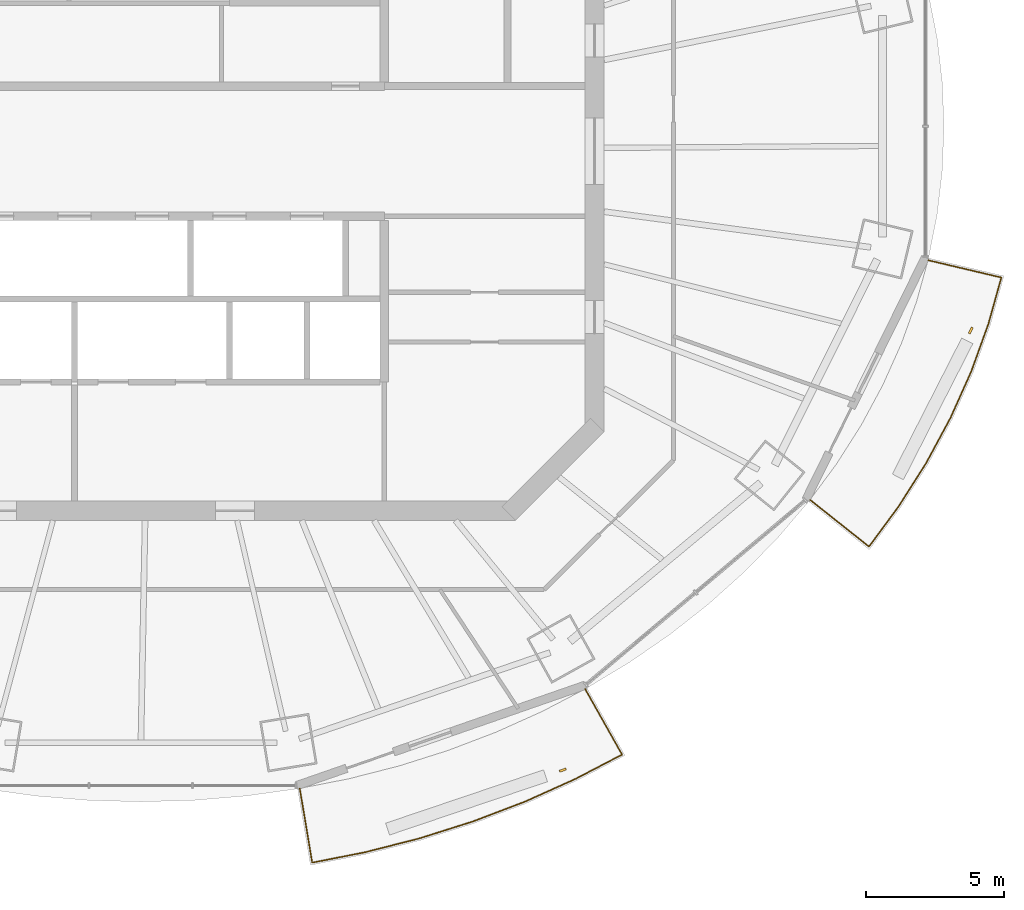
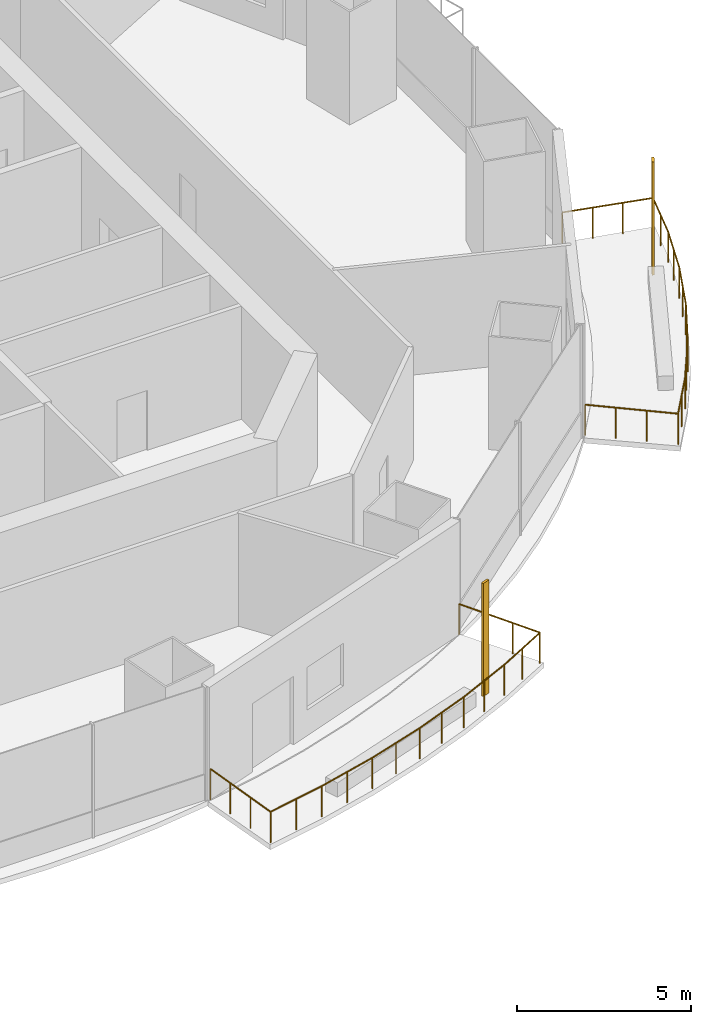
# One storey, part 13 of 16: 2 railings, 2 shading devices.
"""IFC4 building model written with IfcOpenShell, lengths in metres."""

from ifc_helpers import new_model, si_unit, direction, frame, origin, origin_2d, place, context, subcontext, project, spatial, rectangle, circle, extrude, material, material_profile, profile_set, type_object, element, save


model = new_model("IFC4")

# Units and contexts
model_context = context("Model", 3, precision=1e-05, world=origin(), true_north=direction((0.0, 1.0)))
body_context = subcontext(model_context, "Body", "Model", "MODEL_VIEW")
ifc_project = project(units=[si_unit("LENGTHUNIT", "METRE"), si_unit("AREAUNIT", "SQUARE_METRE"), si_unit("VOLUMEUNIT", "CUBIC_METRE"), si_unit("PLANEANGLEUNIT", "RADIAN"), si_unit("MASSUNIT", "GRAM", prefix="KILO")], contexts=[model_context])

# Site, building, storey
site_placement = place(None, origin())
site = spatial("IfcSite", under=ifc_project, at=site_placement, CompositionType="ELEMENT")
building_placement = place(site_placement, origin())
building = spatial("IfcBuilding", under=site, at=building_placement, Name="Marenthal Gate Tower", CompositionType="ELEMENT")
storey_placement = place(building_placement, frame((0.0, 0.0, 288.64990234375)))
storey = spatial("IfcBuildingStorey", under=building, at=storey_placement, Name="L64", CompositionType="ELEMENT", Elevation=288.64990234375)

# Railings
ifc_material_1 = material(Name="Stainless steel", Category="steel")
railing_type = type_object("IfcRailingType", Name="Balcony guard 1100", PredefinedType="GUARDRAIL", material=ifc_material_1)
railing_1_placement = place(storey_placement, frame((15.662841796875, -19.4462890625, 0.0)))
element("IfcRailing", 1, at=railing_1_placement, inside=storey, type_object=railing_type, Name="Balcony guard L64 bay 13", PredefinedType="GUARDRAIL", context=body_context, shape_type="SweptSolid", body=[
    extrude(circle(Radius=0.02392578125, at=origin_2d()), frame((0.0, 0.0, 1.076171875), z_axis=(0.490217296888, -0.871477472132, -0.014629333466), x_axis=(0.871570742774, 0.490269762825, 0.0)), (0.0, 0.0, 1.0), 2.72021484375),
    extrude(circle(Radius=0.02392578125, at=origin_2d()), frame((1.33349609375, -2.37060546875, 1.0361328125), z_axis=(-0.886680853455, -0.46238194614, 0.0), x_axis=(0.46238194614, -0.886680853455, 0.0)), (0.0, 0.0, 1.0), 1.904052734375),
    extrude(circle(Radius=0.02392578125, at=origin_2d()), frame((-0.354736328125, -3.2509765625, 1.0361328125), z_axis=(-0.912074652347, -0.41002418044, 0.0), x_axis=(0.41002418044, -0.912074652347, 0.0)), (0.0, 0.0, 1.0), 1.99755859375),
    extrude(circle(Radius=0.02392578125, at=origin_2d()), frame((-2.1767578125, -4.070068359375, 1.0361328125), z_axis=(-0.934433846475, -0.356136752614, 0.0), x_axis=(0.356136752614, -0.934433846475, 0.0)), (0.0, 0.0, 1.0), 2.010009765625),
    extrude(circle(Radius=0.02392578125, at=origin_2d()), frame((-4.054931640625, -4.785888671875, 1.0361328125), z_axis=(-0.953335850503, -0.301911835054, 0.0), x_axis=(0.301911835054, -0.953335850503, 0.0)), (0.0, 0.0, 1.0), 2.020751953125),
    extrude(circle(Radius=0.02392578125, at=origin_2d()), frame((-5.9814453125, -5.39599609375, 1.0361328125), z_axis=(-0.968956946338, -0.24722952118, 0.0), x_axis=(0.24722952118, -0.968956946338, 0.0)), (0.0, 0.0, 1.0), 2.0302734375),
    extrude(circle(Radius=0.02392578125, at=origin_2d()), frame((-7.94873046875, -5.89794921875, 1.0361328125), z_axis=(-0.981095216908, -0.193525645226, 0.0), x_axis=(0.193525645226, -0.981095216908, 0.0)), (0.0, 0.0, 1.0), 1.9580078125),
    extrude(circle(Radius=0.02392578125, at=origin_2d()), frame((-9.86962890625, -6.27685546875, 1.0361328125), z_axis=(-0.165138148772, 0.986161944948, 0.014629086005), x_axis=(-0.986267486225, -0.165155822229, 0.0)), (0.0, 0.0, 1.0), 2.72021484375),
    extrude(circle(Radius=0.02099609375, at=origin_2d()), origin(), (0.0, 0.0, 1.0), 1.052001953125),
    extrude(circle(Radius=0.02099609375, at=origin_2d()), frame((0.444580078125, -0.790283203125, -0.01318359375)), (0.0, 0.0, 1.0), 1.052001953125),
    extrude(circle(Radius=0.02099609375, at=origin_2d()), frame((0.888916015625, -1.580322265625, -0.026611328125)), (0.0, 0.0, 1.0), 1.052001953125),
    extrude(circle(Radius=0.02099609375, at=origin_2d()), frame((1.33349609375, -2.37060546875, -0.039794921875)), (0.0, 0.0, 1.0), 1.052001953125),
    extrude(circle(Radius=0.02099609375, at=origin_2d()), frame((0.4892578125, -2.810791015625, -0.039794921875)), (0.0, 0.0, 1.0), 1.052001953125),
    extrude(circle(Radius=0.02099609375, at=origin_2d()), frame((-0.354736328125, -3.2509765625, -0.039794921875)), (0.0, 0.0, 1.0), 1.052001953125),
    extrude(circle(Radius=0.02099609375, at=origin_2d()), frame((-1.265625, -3.66064453125, -0.039794921875)), (0.0, 0.0, 1.0), 1.052001953125),
    extrude(circle(Radius=0.02099609375, at=origin_2d()), frame((-2.1767578125, -4.070068359375, -0.039794921875)), (0.0, 0.0, 1.0), 1.052001953125),
    extrude(circle(Radius=0.02099609375, at=origin_2d()), frame((-3.11572265625, -4.427978515625, -0.039794921875)), (0.0, 0.0, 1.0), 1.052001953125),
    extrude(circle(Radius=0.02099609375, at=origin_2d()), frame((-4.054931640625, -4.785888671875, -0.039794921875)), (0.0, 0.0, 1.0), 1.052001953125),
    extrude(circle(Radius=0.02099609375, at=origin_2d()), frame((-5.01806640625, -5.0908203125, -0.039794921875)), (0.0, 0.0, 1.0), 1.052001953125),
    extrude(circle(Radius=0.02099609375, at=origin_2d()), frame((-5.9814453125, -5.39599609375, -0.039794921875)), (0.0, 0.0, 1.0), 1.052001953125),
    extrude(circle(Radius=0.02099609375, at=origin_2d()), frame((-6.965087890625, -5.64697265625, -0.039794921875)), (0.0, 0.0, 1.0), 1.052001953125),
    extrude(circle(Radius=0.02099609375, at=origin_2d()), frame((-7.94873046875, -5.89794921875, -0.039794921875)), (0.0, 0.0, 1.0), 1.052001953125),
    extrude(circle(Radius=0.02099609375, at=origin_2d()), frame((-8.9091796875, -6.08740234375, -0.039794921875)), (0.0, 0.0, 1.0), 1.052001953125),
    extrude(circle(Radius=0.02099609375, at=origin_2d()), frame((-9.86962890625, -6.27685546875, -0.039794921875)), (0.0, 0.0, 1.0), 1.052001953125),
    extrude(circle(Radius=0.02099609375, at=origin_2d()), frame((-10.019287109375, -5.382568359375, -0.026611328125)), (0.0, 0.0, 1.0), 1.052001953125),
    extrude(circle(Radius=0.02099609375, at=origin_2d()), frame((-10.169189453125, -4.488525390625, -0.01318359375)), (0.0, 0.0, 1.0), 1.052001953125),
    extrude(circle(Radius=0.02099609375, at=origin_2d()), frame((-10.31884765625, -3.59423828125, 0.0)), (0.0, 0.0, 1.0), 1.052001953125),
])
railing_2_placement = place(storey_placement, frame((28.0615234375, -3.942626953125, 0.0)))
element("IfcRailing", 2, at=railing_2_placement, inside=storey, type_object=railing_type, Name="Balcony guard L64 bay 15", PredefinedType="GUARDRAIL", context=body_context, shape_type="SweptSolid", body=[
    extrude(circle(Radius=0.02392578125, at=origin_2d()), frame((0.0, 0.0, 1.076171875), z_axis=(0.973118453647, -0.22984011434, -0.014628636719), x_axis=(0.229864710837, 0.973222592582, 0.0)), (0.0, 0.0, 1.0), 2.720458984375),
    extrude(circle(Radius=0.02392578125, at=origin_2d()), frame((2.647216796875, -0.625244140625, 1.0361328125), z_axis=(-0.268792920524, -0.963197988929, 0.0), x_axis=(0.963197988929, -0.268792920524, 0.0)), (0.0, 0.0, 1.0), 1.7421875),
    extrude(circle(Radius=0.02392578125, at=origin_2d()), frame((2.178955078125, -2.30322265625, 1.0361328125), z_axis=(-0.339224848664, -0.94070532158, 0.0), x_axis=(0.94070532158, -0.339224848664, 0.0)), (0.0, 0.0, 1.0), 1.830322265625),
    extrude(circle(Radius=0.02392578125, at=origin_2d()), frame((1.55810546875, -4.02490234375, 1.0361328125), z_axis=(-0.408427160426, -0.912790915066, 0.0), x_axis=(0.912790915066, -0.408427160426, 0.0)), (0.0, 0.0, 1.0), 1.83984375),
    extrude(circle(Radius=0.02392578125, at=origin_2d()), frame((0.806640625, -5.704345703125, 1.0361328125), z_axis=(-0.474178476771, -0.880428743379, 0.0), x_axis=(0.880428743379, -0.474178476771, 0.0)), (0.0, 0.0, 1.0), 1.85107421875),
    extrude(circle(Radius=0.02392578125, at=origin_2d()), frame((-0.071044921875, -7.333984375, 1.0361328125), z_axis=(-0.536341470097, -0.844001082614, 0.0), x_axis=(0.844001082614, -0.536341470097, 0.0)), (0.0, 0.0, 1.0), 1.864013671875),
    extrude(circle(Radius=0.02392578125, at=origin_2d()), frame((-1.07080078125, -8.9072265625, 1.0361328125), z_axis=(-0.593175870863, -0.805072907398, 0.0), x_axis=(0.805072907398, -0.593175870863, 0.0)), (0.0, 0.0, 1.0), 1.79736328125),
    extrude(circle(Radius=0.02392578125, at=origin_2d()), frame((-2.136962890625, -10.354248046875, 1.0361328125), z_axis=(-0.783213412128, 0.621580851656, 0.01462859931), x_axis=(-0.621647370214, -0.783297227817, 0.0)), (0.0, 0.0, 1.0), 2.720458984375),
    extrude(circle(Radius=0.02099609375, at=origin_2d()), origin(), (0.0, 0.0, 1.0), 1.052001953125),
    extrude(circle(Radius=0.02099609375, at=origin_2d()), frame((0.88232421875, -0.20849609375, -0.01318359375)), (0.0, 0.0, 1.0), 1.052001953125),
    extrude(circle(Radius=0.02099609375, at=origin_2d()), frame((1.764892578125, -0.416748046875, -0.026611328125)), (0.0, 0.0, 1.0), 1.052001953125),
    extrude(circle(Radius=0.02099609375, at=origin_2d()), frame((2.647216796875, -0.625244140625, -0.039794921875)), (0.0, 0.0, 1.0), 1.052001953125),
    extrude(circle(Radius=0.02099609375, at=origin_2d()), frame((2.4130859375, -1.46435546875, -0.039794921875)), (0.0, 0.0, 1.0), 1.052001953125),
    extrude(circle(Radius=0.02099609375, at=origin_2d()), frame((2.178955078125, -2.30322265625, -0.039794921875)), (0.0, 0.0, 1.0), 1.052001953125),
    extrude(circle(Radius=0.02099609375, at=origin_2d()), frame((1.86865234375, -3.1640625, -0.039794921875)), (0.0, 0.0, 1.0), 1.052001953125),
    extrude(circle(Radius=0.02099609375, at=origin_2d()), frame((1.55810546875, -4.02490234375, -0.039794921875)), (0.0, 0.0, 1.0), 1.052001953125),
    extrude(circle(Radius=0.02099609375, at=origin_2d()), frame((1.182373046875, -4.86474609375, -0.039794921875)), (0.0, 0.0, 1.0), 1.052001953125),
    extrude(circle(Radius=0.02099609375, at=origin_2d()), frame((0.806640625, -5.704345703125, -0.039794921875)), (0.0, 0.0, 1.0), 1.052001953125),
    extrude(circle(Radius=0.02099609375, at=origin_2d()), frame((0.36767578125, -6.51904296875, -0.039794921875)), (0.0, 0.0, 1.0), 1.052001953125),
    extrude(circle(Radius=0.02099609375, at=origin_2d()), frame((-0.071044921875, -7.333984375, -0.039794921875)), (0.0, 0.0, 1.0), 1.052001953125),
    extrude(circle(Radius=0.02099609375, at=origin_2d()), frame((-0.57080078125, -8.12060546875, -0.039794921875)), (0.0, 0.0, 1.0), 1.052001953125),
    extrude(circle(Radius=0.02099609375, at=origin_2d()), frame((-1.07080078125, -8.9072265625, -0.039794921875)), (0.0, 0.0, 1.0), 1.052001953125),
    extrude(circle(Radius=0.02099609375, at=origin_2d()), frame((-1.60400390625, -9.630859375, -0.039794921875)), (0.0, 0.0, 1.0), 1.052001953125),
    extrude(circle(Radius=0.02099609375, at=origin_2d()), frame((-2.136962890625, -10.354248046875, -0.039794921875)), (0.0, 0.0, 1.0), 1.052001953125),
    extrude(circle(Radius=0.02099609375, at=origin_2d()), frame((-2.84716796875, -9.79052734375, -0.026611328125)), (0.0, 0.0, 1.0), 1.052001953125),
    extrude(circle(Radius=0.02099609375, at=origin_2d()), frame((-3.557373046875, -9.22705078125, -0.01318359375)), (0.0, 0.0, 1.0), 1.052001953125),
    extrude(circle(Radius=0.02099609375, at=origin_2d()), frame((-4.267578125, -8.663330078125, 0.0)), (0.0, 0.0, 1.0), 1.052001953125),
])

# Shading devices
ifc_material_2 = material(Name="Terracotta", Category="masonry")
ifc_material_profile = material_profile(ifc_material_2, rectangle(XDim=0.25, YDim=0.080078125, at=origin_2d()), Name="Terracotta baguette 250x80")
ifc_profile_set = profile_set([ifc_material_profile], Name="Terracotta")
shading_device_type = type_object("IfcShadingDeviceType", Name="Terracotta BAGUETTE SCREEN 250x80", PredefinedType="USERDEFINED", material=ifc_profile_set)
for number, where, z_axis, x_axis, name in (
    (3, (14.853515625, -22.376708984375, -0.039794921875), (0.0, 0.0, 1.0), (0.944304873933, 0.329071884345, 0.0), "Terracotta BAGUETTE L64 bay 13R"),
    (4, (29.602294921875, -6.4853515625, -0.039794921875), (0.0, 0.0, 1.0), (0.441711416968, 0.897157190307, 0.0), "Terracotta BAGUETTE L64 bay 15R"),
):
    element("IfcShadingDevice", number, at=place(storey_placement, frame(where, z_axis=z_axis, x_axis=x_axis)), inside=storey, type_object=shading_device_type, Name=name, ObjectType="BAGUETTE SCREEN", PredefinedType="USERDEFINED", context=body_context, shape_type="SweptSolid", body=[
        extrude(rectangle(XDim=0.25, YDim=0.080078125, at=origin_2d()), origin(), (0.0, 0.0, 1.0), 3.969970703125),
    ])

save(model, "model.ifc")
